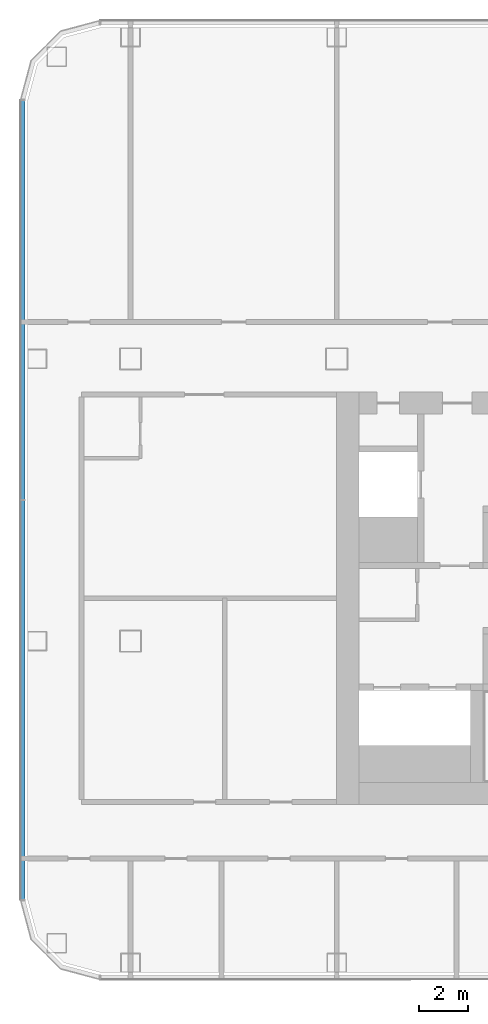
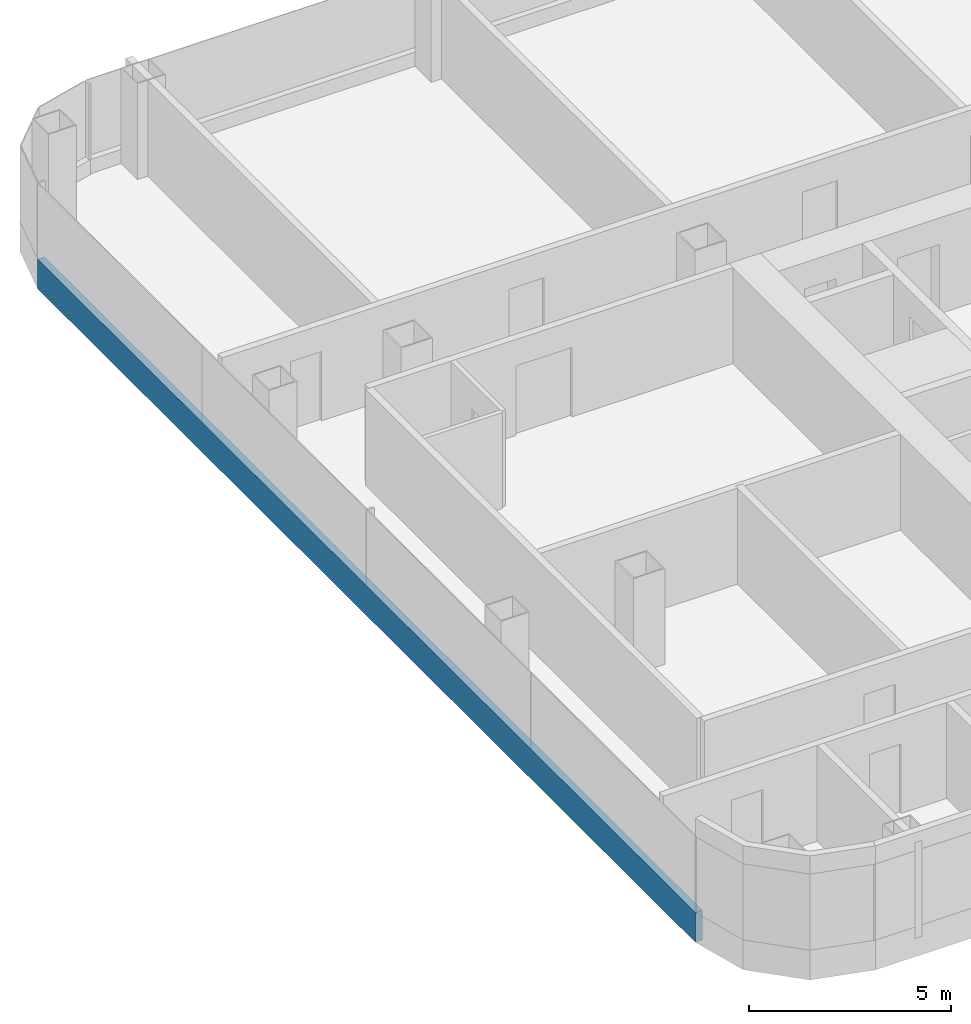
# One storey, part 3 of 29: 1 member, 1 element without a shape of its own.
"""IFC4 building model written with IfcOpenShell, lengths in metres."""

from ifc_helpers import new_model, si_unit, direction, frame, origin, origin_2d, place, context, subcontext, project, spatial, rectangle, extrude, material, layer, layer_set, material_profile, profile_set, type_object, element, aggregate, save


model = new_model("IFC4")

# Units and contexts
model_context = context("Model", 3, precision=1e-05, world=origin(), true_north=direction((0.0, 1.0)))
body_context = subcontext(model_context, "Body", "Model", "MODEL_VIEW")
ifc_project = project(units=[si_unit("LENGTHUNIT", "METRE"), si_unit("AREAUNIT", "SQUARE_METRE"), si_unit("VOLUMEUNIT", "CUBIC_METRE"), si_unit("PLANEANGLEUNIT", "RADIAN"), si_unit("MASSUNIT", "GRAM", prefix="KILO")], contexts=[model_context])

# Site, building, storey
site_placement = place(None, origin())
site = spatial("IfcSite", under=ifc_project, at=site_placement, CompositionType="ELEMENT")
building_placement = place(site_placement, origin())
building = spatial("IfcBuilding", under=site, at=building_placement, Name="Hakoniwa Tower and Hamabe Station Hall", CompositionType="ELEMENT")
storey_placement = place(building_placement, frame((0.0, 0.0, 117.0)))
storey = spatial("IfcBuildingStorey", under=building, at=storey_placement, Name="L33", CompositionType="ELEMENT", Elevation=117.0)

# Curtain wall, member
ifc_material_1 = material(Name="Dark low-e laminated glass", Category="glass")
ifc_layer = layer(ifc_material_1, 0.199951171875)
ifc_layer_set = layer_set([ifc_layer], Name="CW-1 UNITISED GUEST")
curtain_wall_type = type_object("IfcCurtainWallType", Name="CW-1 UNITISED GUEST", PredefinedType="NOTDEFINED", material=ifc_layer_set)
curtain_wall_placement = place(storey_placement, origin())
curtain_wall = element("IfcCurtainWall", 1, at=curtain_wall_placement, inside=storey, type_object=curtain_wall_type, Name="CW-1 curtain wall", PredefinedType="NOTDEFINED")
ifc_material_2 = material(Name="Aluminium 6063-T5 black anodised", Category="aluminium")
ifc_material_profile = material_profile(ifc_material_2, rectangle(XDim=0.199951171875, YDim=0.89990234375, at=origin_2d()), Name="CW SLAB-EDGE BAND 900X200")
ifc_profile_set = profile_set([ifc_material_profile], Name="Aluminium 6063-T5 black anodised")
member_type = type_object("IfcMemberType", Name="CW SLAB-EDGE BAND 900X200", PredefinedType="USERDEFINED", material=ifc_profile_set)
member_placement = place(storey_placement, frame((-46.39990234375, 20.28955078125, -0.10009765625), z_axis=(0.0, -1.0, 0.0), x_axis=(1.0, 0.0, 0.0)))
member = element("IfcMember", 2, at=member_placement, type_object=member_type, Name="CW-1 transom", ObjectType="TRANSOM", PredefinedType="USERDEFINED", context=body_context, shape_type="SweptSolid", body=[
    extrude(rectangle(XDim=0.199951171875, YDim=0.89990234375, at=origin_2d()), origin(), (0.0, 0.0, 1.0), 32.5791015625),
])
aggregate(curtain_wall, [member])

save(model, "model.ifc")
